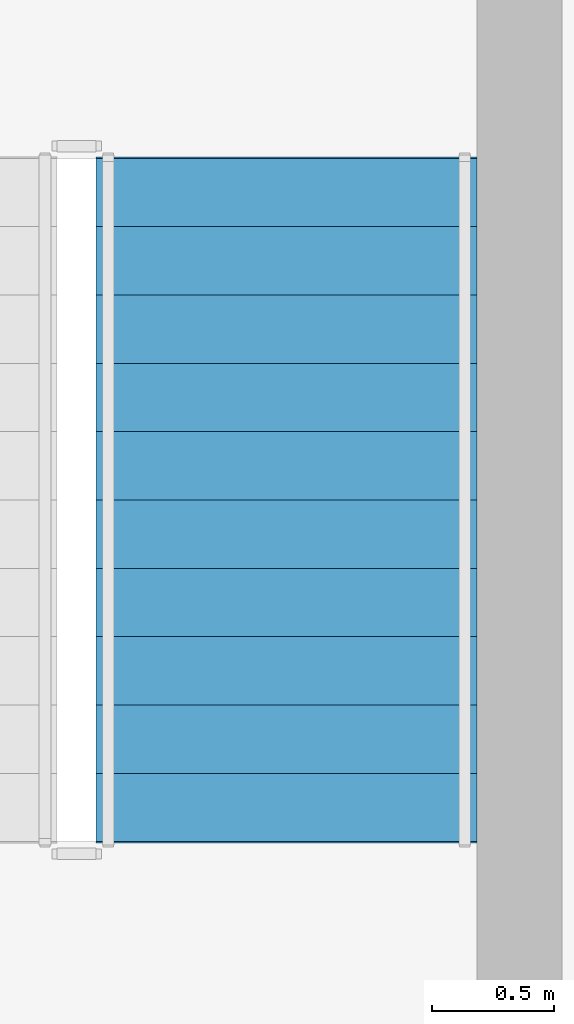
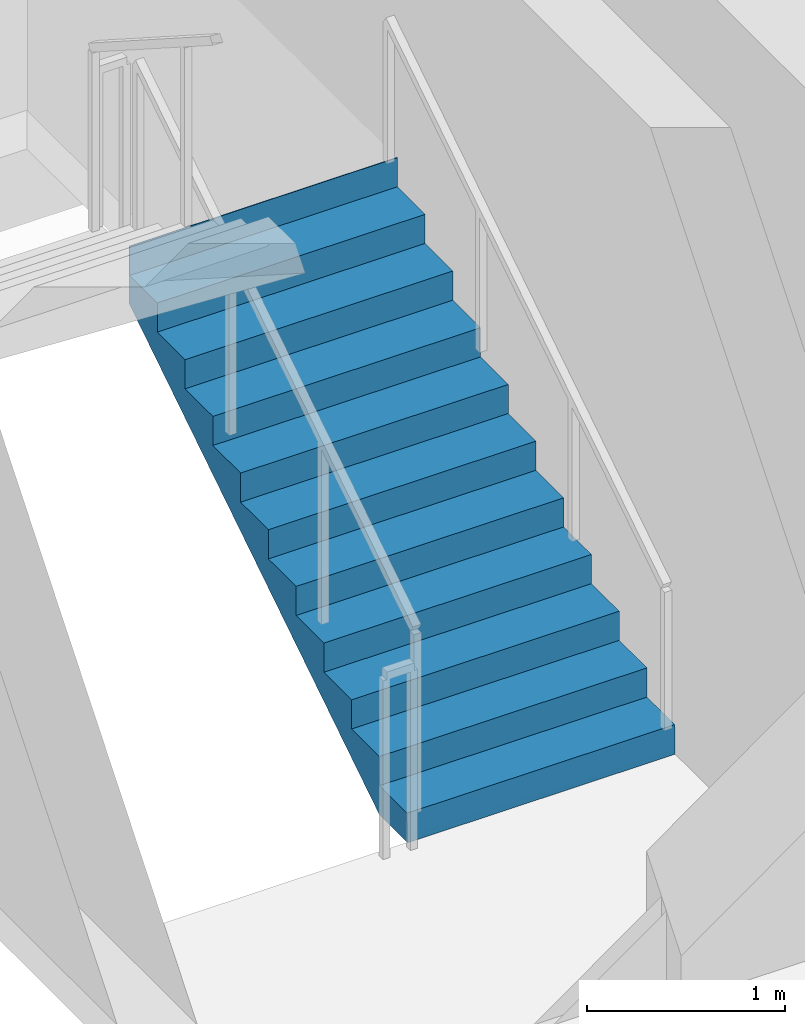
# One storey, part 8 of 11: 1 stair flight, 1 element without a shape of its own.
"""IFC4 building model written with IfcOpenShell, lengths in metres."""

from ifc_helpers import new_model, si_unit, direction, frame, origin, place, context, subcontext, project, spatial, polyline, outline, extrude, material, type_object, element, aggregate, save


model = new_model("IFC4")

# Units and contexts
model_context = context("Model", 3, precision=1e-05, world=origin(), true_north=direction((0.0, 1.0)))
body_context = subcontext(model_context, "Body", "Model", "MODEL_VIEW")
ifc_project = project(units=[si_unit("LENGTHUNIT", "METRE"), si_unit("AREAUNIT", "SQUARE_METRE"), si_unit("VOLUMEUNIT", "CUBIC_METRE"), si_unit("PLANEANGLEUNIT", "RADIAN"), si_unit("MASSUNIT", "GRAM", prefix="KILO")], contexts=[model_context])

# Site, building, storey
site_placement = place(None, origin())
site = spatial("IfcSite", under=ifc_project, at=site_placement, CompositionType="ELEMENT")
building_placement = place(site_placement, origin())
building = spatial("IfcBuilding", under=site, at=building_placement, Name="Kaelvorn Grand Hotel", CompositionType="ELEMENT")
storey_placement = place(building_placement, frame((0.0, 0.0, 256.800048828125)))
storey = spatial("IfcBuildingStorey", under=building, at=storey_placement, Name="L63", CompositionType="ELEMENT", Elevation=256.800048828125)

# Stair, stair flight
ifc_material = material(Name="Concrete C40/50", Category="concrete")
stair_type = type_object("IfcStairType", Name="STR-DOG-1560-R09", PredefinedType="HALF_TURN_STAIR", material=ifc_material)
stair_placement = place(storey_placement, origin())
stair = element("IfcStair", 1, at=stair_placement, inside=storey, type_object=stair_type, Name="L63 East Core Exit Stair ST3", PredefinedType="HALF_TURN_STAIR")
stair_flight_type = type_object("IfcStairFlightType", Name="FLG-DOG-1560-R09", PredefinedType="STRAIGHT", material=ifc_material)
stair_flight_placement = place(storey_placement, frame((65.820068359375, 41.760009765625, 0.0), z_axis=(0.0, 0.0, 1.0), x_axis=(0.0, 1.0, 0.0)))
stair_flight = element("IfcStairFlight", 2, at=stair_flight_placement, type_object=stair_flight_type, Name="ST3 flight 1", NumberOfRisers=11, NumberOfTreads=10, PredefinedType="STRAIGHT", RiserHeight=0.179545455, TreadLength=0.28, context=body_context, shape_type="SweptSolid", body=[
    extrude(outline(polyline([(-0.0048828125, 0.0), (-0.0048828125, 0.0400390625), (0.0, 0.179443359375), (0.280029296875, 0.179443359375), (0.280029296875, 0.359130859375), (0.56005859375, 0.359130859375), (0.56005859375, 0.53857421875), (0.840087890625, 0.53857421875), (0.840087890625, 0.71826171875), (1.1201171875, 0.71826171875), (1.1201171875, 0.897705078125), (1.39990234375, 0.897705078125), (1.39990234375, 1.077392578125), (1.679931640625, 1.077392578125), (1.679931640625, 1.2568359375), (1.9599609375, 1.2568359375), (1.9599609375, 1.436279296875), (2.239990234375, 1.436279296875), (2.239990234375, 1.615966796875), (2.52001953125, 1.615966796875), (2.52001953125, 1.79541015625), (2.800048828125, 1.79541015625), (2.800048828125, 1.97509765625), (2.804931640625, 1.97509765625), (2.804931640625, 1.617431640625), (0.277587890625, 0.0), (-0.0048828125, 0.0)])), frame((0.0, 0.780029296875, 0.0), z_axis=(0.0, -1.0, 0.0), x_axis=(1.0, 0.0, 0.0)), (0.0, 0.0, 1.0), 1.56005859375),
])
aggregate(stair, [stair_flight])

save(model, "model.ifc")
